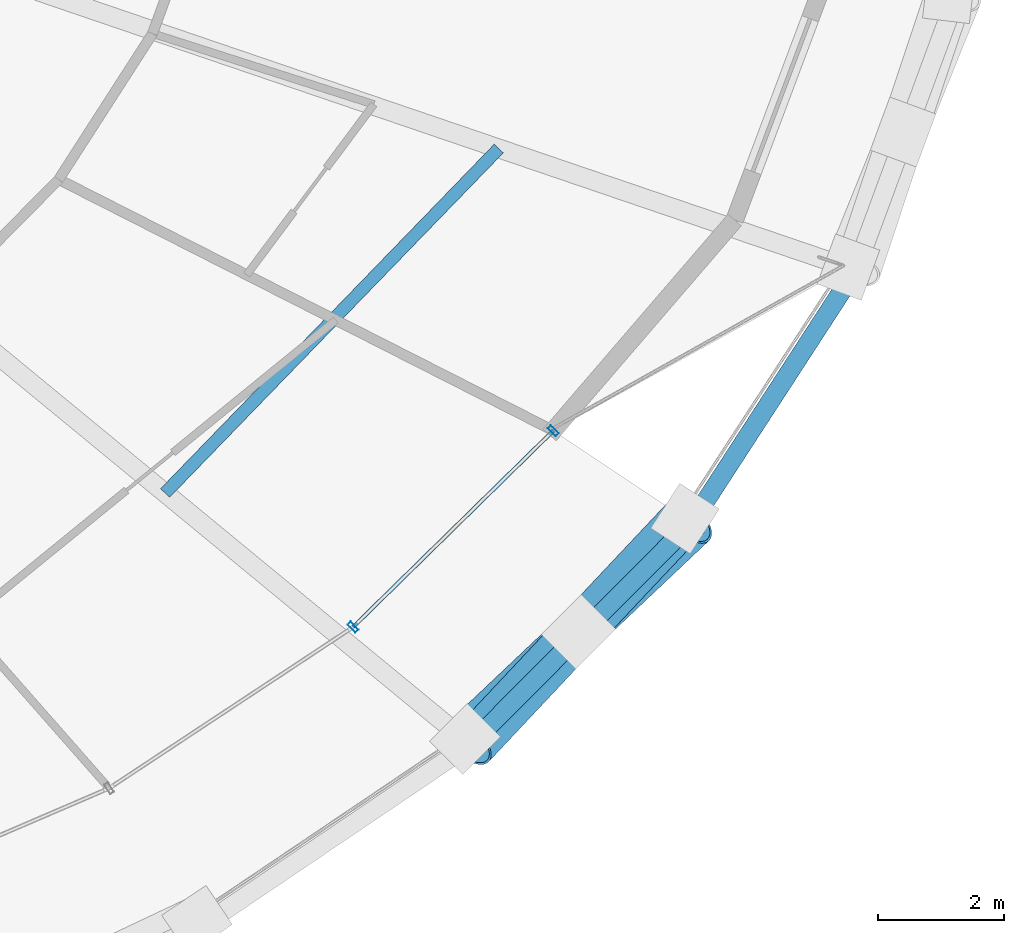
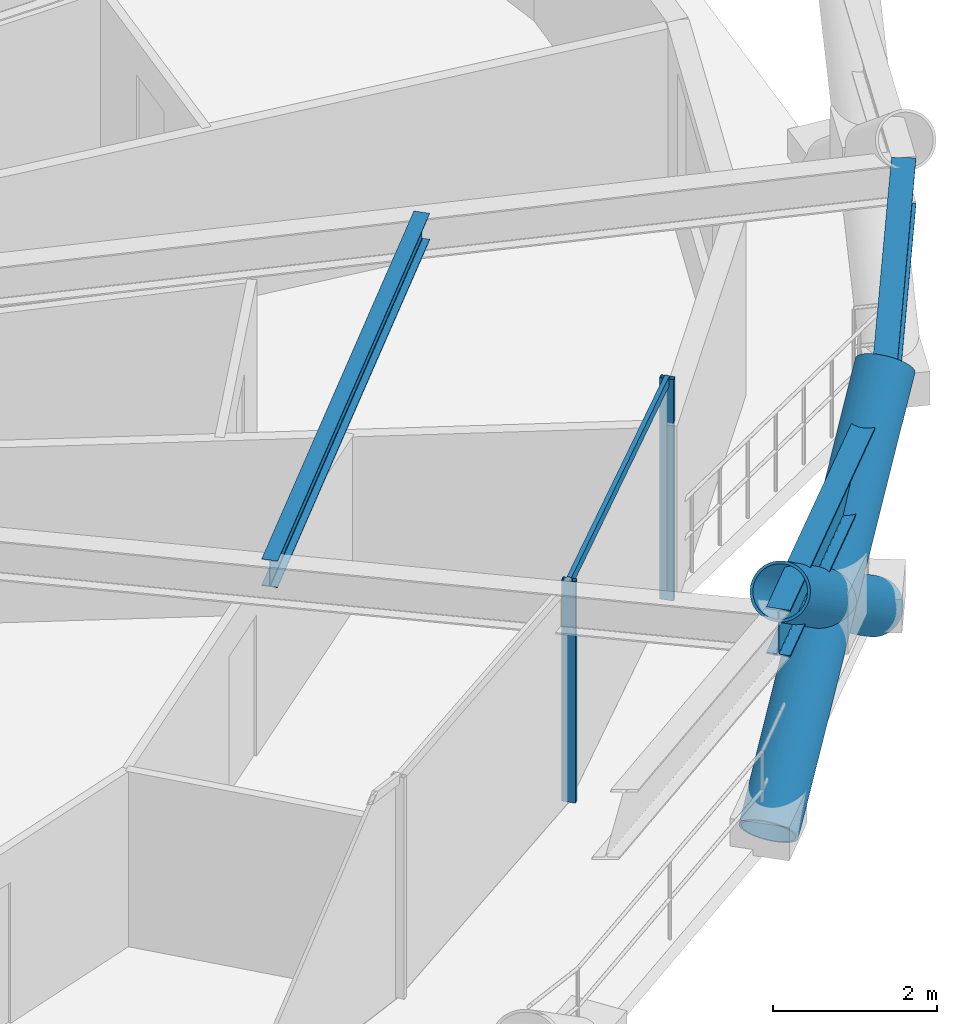
# One storey, part 10 of 19: 6 members, 3 beams, 1 element without a shape of its own.
"""IFC4 building model written with IfcOpenShell, lengths in metres."""

from ifc_helpers import new_model, si_unit, direction, frame, origin, origin_2d, place, context, subcontext, project, spatial, hollow_rectangle, hollow_circle, i_section, extrude, material, layer, layer_set, material_profile, profile_set, type_object, element, aggregate, save


model = new_model("IFC4")

# Units and contexts
model_context = context("Model", 3, precision=1e-05, world=origin(), true_north=direction((0.0, 1.0)))
body_context = subcontext(model_context, "Body", "Model", "MODEL_VIEW")
ifc_project = project(units=[si_unit("LENGTHUNIT", "METRE"), si_unit("AREAUNIT", "SQUARE_METRE"), si_unit("VOLUMEUNIT", "CUBIC_METRE"), si_unit("PLANEANGLEUNIT", "RADIAN"), si_unit("MASSUNIT", "GRAM", prefix="KILO")], contexts=[model_context])

# Site, building, storey
site_placement = place(None, origin())
site = spatial("IfcSite", under=ifc_project, at=site_placement, CompositionType="ELEMENT")
building_placement = place(site_placement, origin())
building = spatial("IfcBuilding", under=site, at=building_placement, Name="Veldorina Hangang Commons", CompositionType="ELEMENT")
storey_placement = place(building_placement, frame((0.0, 0.0, 44.800048828125)))
storey = spatial("IfcBuildingStorey", under=building, at=storey_placement, Name="L10", CompositionType="ELEMENT", Elevation=44.800048828125)

# Beams
ifc_material_1 = material(Name="Steel SM355-TMC", Category="steel")
ifc_material_profile_1 = material_profile(ifc_material_1, i_section(OverallWidth=0.199951171875, OverallDepth=0.39990234375, WebThickness=0.008056640625, FlangeThickness=0.012939453125, FilletRadius=0.012939453125, at=origin_2d()), Name="H-400x200x8x13")
ifc_profile_set_1 = profile_set([ifc_material_profile_1], Name="Steel SM355-TMC")
beam_type_1 = type_object("IfcBeamType", Name="BM-JST400", PredefinedType="JOIST", material=ifc_profile_set_1)
beam_1_placement = place(storey_placement, frame((47.131103515625, 11.544921875, 3.139892578125), z_axis=(0.695729750099, 0.71830363693, 0.0), x_axis=(-0.71830363693, 0.695729750099, 0.0)))
element("IfcBeam", 1, at=beam_1_placement, inside=storey, type_object=beam_type_1, Name="L10 secondary floor joist 15", PredefinedType="JOIST", context=body_context, shape_type="SweptSolid", body=[
    extrude(i_section(OverallWidth=0.199951171875, OverallDepth=0.39990234375, WebThickness=0.008056640625, FlangeThickness=0.012939453125, FilletRadius=0.012939453125, at=origin_2d()), origin(), (0.0, 0.0, 1.0), 7.635498046875),
])
ifc_material_2 = material(Name="Steel SM460-TMC", Category="steel")
ifc_material_profile_2 = material_profile(ifc_material_2, i_section(OverallWidth=0.300048828125, OverallDepth=0.699951171875, WebThickness=0.012939453125, FlangeThickness=0.02392578125, FilletRadius=0.02197265625, at=origin_2d()), Name="H-700x300x13x24")
ifc_profile_set_2 = profile_set([ifc_material_profile_2], Name="Steel SM460-TMC")
beam_type_2 = type_object("IfcBeamType", Name="BM-RB700", PredefinedType="BEAM", material=ifc_profile_set_2)
beam_2_placement = place(storey_placement, frame((51.9921875, 7.54345703125, 2.989990234375), z_axis=(0.706027455436, 0.708184461966, 0.0), x_axis=(-0.708184461966, 0.706027455436, 0.0)))
element("IfcBeam", 2, at=beam_2_placement, inside=storey, type_object=beam_type_2, Name="L10 perimeter hoop ring beam 28", PredefinedType="BEAM", context=body_context, shape_type="SweptSolid", body=[
    extrude(i_section(OverallWidth=0.300048828125, OverallDepth=0.699951171875, WebThickness=0.012939453125, FlangeThickness=0.02392578125, FilletRadius=0.02197265625, at=origin_2d()), origin(), (0.0, 0.0, 1.0), 4.980224609375),
])
beam_3_placement = place(storey_placement, frame((55.50830078125, 11.0703125, 2.989990234375), z_axis=(0.544594750005, 0.838699325305, 0.0), x_axis=(-0.838699325305, 0.544594750005, 0.0)))
element("IfcBeam", 3, at=beam_3_placement, inside=storey, type_object=beam_type_2, Name="L10 perimeter hoop ring beam 29", PredefinedType="BEAM", context=body_context, shape_type="SweptSolid", body=[
    extrude(i_section(OverallWidth=0.300048828125, OverallDepth=0.699951171875, WebThickness=0.012939453125, FlangeThickness=0.02392578125, FilletRadius=0.02197265625, at=origin_2d()), origin(), (0.0, 0.0, 1.0), 4.797119140625),
])

# Curtain wall, members
ifc_material_3 = material(Name="Glass Low-E Triple IGU", Category="glass")
ifc_layer = layer(ifc_material_3, 0.179931640625)
ifc_layer_set = layer_set([ifc_layer], Name="Glass Low-E Triple IGU")
curtain_wall_type = type_object("IfcCurtainWallType", Name="CW-SYS-Z1", PredefinedType="NOTDEFINED", material=ifc_layer_set)
curtain_wall_placement = place(storey_placement, origin())
curtain_wall = element("IfcCurtainWall", 4, at=curtain_wall_placement, inside=storey, type_object=curtain_wall_type, Name="L10 unitised curtain wall CW-L10-R2", PredefinedType="NOTDEFINED")
ifc_material_4 = material(Name="Aluminium Anodized AA6063-T6", Category="aluminium")
ifc_material_profile_3 = material_profile(ifc_material_4, hollow_rectangle(XDim=0.070068359375, YDim=0.179931640625, WallThickness=0.00390625, at=origin_2d()), Name="ALU-RHS-180x70x4")
ifc_profile_set_3 = profile_set([ifc_material_profile_3], Name="Aluminium Anodized AA6063-T6")
member_type_1 = type_object("IfcMemberType", Name="CW-MUL-180", PredefinedType="MULLION", material=ifc_profile_set_3)
member_1_placement = place(storey_placement, frame((50.123779296875, 9.411865234375, 0.0), z_axis=(0.0, 0.0, 1.0), x_axis=(0.713922945025, 0.700224270192, 0.0)))
member_1 = element("IfcMember", 5, at=member_1_placement, type_object=member_type_1, Name="CW-L10-R2 vertical mullion 5", PredefinedType="MULLION", context=body_context, shape_type="SweptSolid", body=[
    extrude(hollow_rectangle(XDim=0.070068359375, YDim=0.179931640625, WallThickness=0.00390625, at=origin_2d()), origin(), (0.0, 0.0, 1.0), 3.300048828125),
])
member_2_placement = place(storey_placement, frame((53.311279296875, 12.5380859375, 0.0), z_axis=(0.0, 0.0, 1.0), x_axis=(-0.713922945025, -0.700224270192, 0.0)))
member_2 = element("IfcMember", 6, at=member_2_placement, type_object=member_type_1, Name="CW-L10-R2 vertical mullion 6", PredefinedType="MULLION", context=body_context, shape_type="SweptSolid", body=[
    extrude(hollow_rectangle(XDim=0.070068359375, YDim=0.179931640625, WallThickness=0.00390625, at=origin_2d()), origin(), (0.0, 0.0, 1.0), 3.300048828125),
])
ifc_material_profile_4 = material_profile(ifc_material_4, hollow_rectangle(XDim=0.06005859375, YDim=0.139892578125, WallThickness=0.00341796875, at=origin_2d()), Name="ALU-RHS-140x60x3.5")
ifc_profile_set_4 = profile_set([ifc_material_profile_4], Name="Aluminium Anodized AA6063-T6")
member_type_2 = type_object("IfcMemberType", Name="CW-TRN-140", PredefinedType="USERDEFINED", material=ifc_profile_set_4)
member_3_placement = place(storey_placement, frame((50.123779296875, 9.411865234375, 3.260009765625), z_axis=(0.713936145812, 0.700210810901, 0.0), x_axis=(-0.700210810901, 0.713936145812, 0.0)))
member_3 = element("IfcMember", 7, at=member_3_placement, type_object=member_type_2, Name="CW-L10-R2 facet 5 transom 1", ObjectType="TRANSOM", PredefinedType="USERDEFINED", context=body_context, shape_type="SweptSolid", body=[
    extrude(hollow_rectangle(XDim=0.06005859375, YDim=0.139892578125, WallThickness=0.00341796875, at=origin_2d()), origin(), (0.0, 0.0, 1.0), 4.464599609375),
])
aggregate(curtain_wall, [member_1, member_2, member_3])

# Members
ifc_material_profile_5 = material_profile(ifc_material_2, hollow_circle(Radius=0.375, WallThickness=0.035888671875, at=origin_2d()), Name="CHS-750x36")
ifc_profile_set_5 = profile_set([ifc_material_profile_5], Name="Steel SM460-TMC")
member_type_3 = type_object("IfcMemberType", Name="DG-CHS750", PredefinedType="BRACE", material=ifc_profile_set_5)
member_4_placement = place(storey_placement, frame((51.905517578125, 7.6298828125, 0.0), z_axis=(0.589108784887, 0.557114870689, 0.585298095355), x_axis=(-0.687102085978, 0.726560887638, 0.0)))
element("IfcMember", 8, at=member_4_placement, inside=storey, type_object=member_type_3, Name="L10 continuous perimeter diagrid brace 28", PredefinedType="BRACE", context=body_context, shape_type="SweptSolid", body=[
    extrude(hollow_circle(Radius=0.375, WallThickness=0.035888671875, at=origin_2d()), origin(), (0.0, 0.0, 1.0), 6.150390625),
])
member_5_placement = place(storey_placement, frame((55.406494140625, 11.13818359375, 0.0), z_axis=(-0.554701971555, -0.589225995717, 0.58746782782), x_axis=(0.728115910105, -0.685454025775, 0.0)))
element("IfcMember", 9, at=member_5_placement, inside=storey, type_object=member_type_3, Name="L10 split perimeter diagrid lower brace 29", PredefinedType="BRACE", context=body_context, shape_type="SweptSolid", body=[
    extrude(hollow_circle(Radius=0.375, WallThickness=0.035888671875, at=origin_2d()), origin(), (0.0, 0.0, 1.0), 3.054931640625),
])
member_6_placement = place(storey_placement, frame((53.7119140625, 9.338134765625, 1.794677734375), z_axis=(-0.553995080253, -0.589831537682, 0.587527197848), x_axis=(0.728903011162, -0.684616973437, 0.0)))
element("IfcMember", 10, at=member_6_placement, inside=storey, type_object=member_type_3, Name="L10 split perimeter diagrid upper brace 29", PredefinedType="BRACE", context=body_context, shape_type="SweptSolid", body=[
    extrude(hollow_circle(Radius=0.375, WallThickness=0.035888671875, at=origin_2d()), origin(), (0.0, 0.0, 1.0), 3.072509765625),
])

save(model, "model.ifc")
